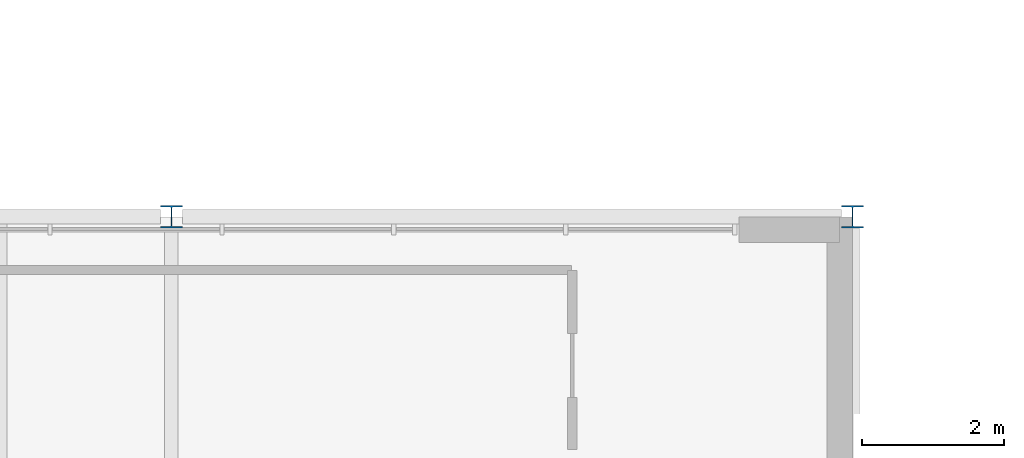
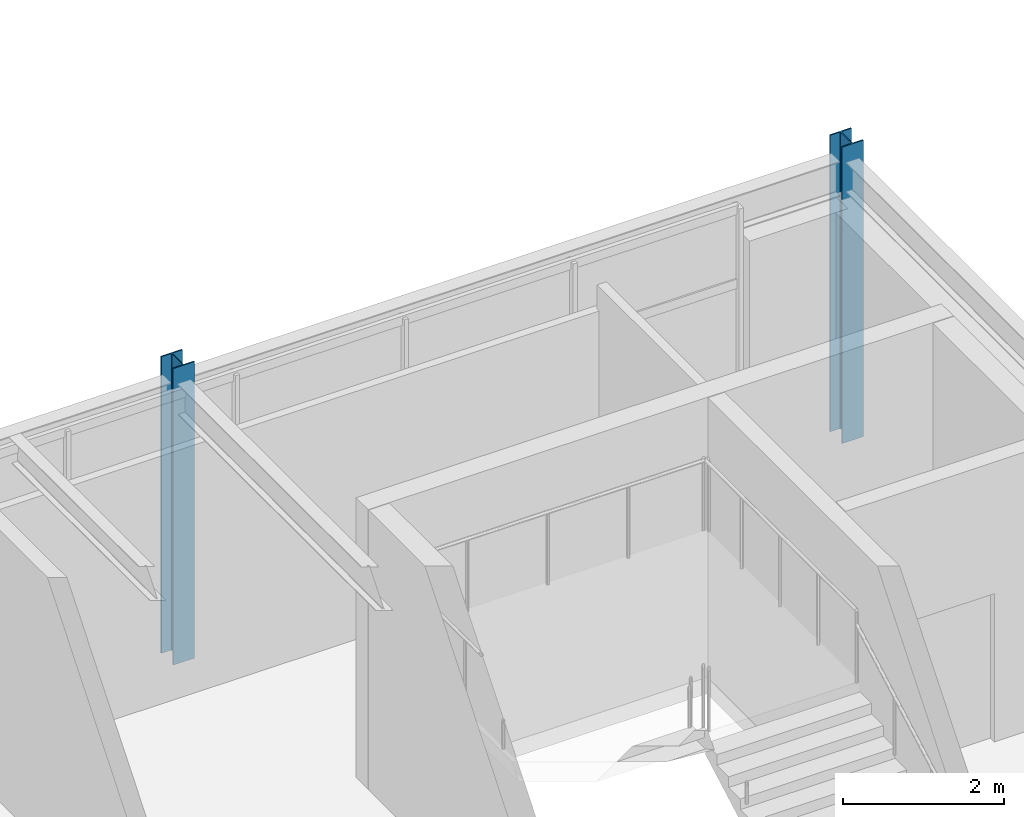
# One storey, part 14 of 69: 2 columns.
"""IFC4 building model written with IfcOpenShell, lengths in metres."""

from ifc_helpers import new_model, si_unit, direction, frame, origin, origin_2d, place, context, subcontext, project, spatial, i_section, extrude, material, material_profile, profile_set, type_object, element, save


model = new_model("IFC4")

# Units and contexts
model_context = context("Model", 3, precision=1e-05, world=origin(), true_north=direction((0.0, 1.0)))
body_context = subcontext(model_context, "Body", "Model", "MODEL_VIEW")
ifc_project = project(units=[si_unit("LENGTHUNIT", "METRE"), si_unit("AREAUNIT", "SQUARE_METRE"), si_unit("VOLUMEUNIT", "CUBIC_METRE"), si_unit("PLANEANGLEUNIT", "RADIAN"), si_unit("MASSUNIT", "GRAM", prefix="KILO")], contexts=[model_context])

# Site, building, storey
site_placement = place(None, origin())
site = spatial("IfcSite", under=ifc_project, at=site_placement, CompositionType="ELEMENT")
building_placement = place(site_placement, origin())
building = spatial("IfcBuilding", under=site, at=building_placement, Name="Sarnbrook Museum", CompositionType="ELEMENT")
storey_placement = place(building_placement, frame((0.0, 0.0, 14.60009765625)))
storey = spatial("IfcBuildingStorey", under=building, at=storey_placement, Name="L03", CompositionType="ELEMENT", Elevation=14.60009765625)

# Columns
ifc_material = material(Name="Structural Steel Grade 300PLUS (AS/NZS 3679.1, fy = 280 MPa for 17 < t <= 40 mm, 300 MPa for t <= 17 mm)", Category="steel")
ifc_material_profile = material_profile(ifc_material, i_section(OverallWidth=0.306884765625, OverallDepth=0.31494140625, WebThickness=0.011962890625, FlangeThickness=0.018798828125, FilletRadius=0.0166015625, at=origin_2d()), Name="310UC118")
ifc_profile_set = profile_set([ifc_material_profile], Name="Structural Steel Grade 300PLUS (AS/NZS 3679.1, fy = 280 MPa for 17 < t <= 40 mm, 300 MPa for t <= 17 mm)")
column_type = type_object("IfcColumnType", Name="COL-UC310", PredefinedType="COLUMN", material=ifc_profile_set)
for number, where, z_axis, x_axis, name in (
    (1, (109.60009765625, 108.39990234375, 0.0), (0.0, 0.0, 1.0), (1.0, 0.0, 0.0), "Column 12-N L03"),
    (2, (119.199951171875, 108.39990234375, 0.0), (0.0, 0.0, 1.0), (1.0, 0.0, 0.0), "Column 13-N L03"),
):
    element("IfcColumn", number, at=place(storey_placement, frame(where, z_axis=z_axis, x_axis=x_axis)), inside=storey, type_object=column_type, Name=name, PredefinedType="COLUMN", context=body_context, shape_type="SweptSolid", body=[
        extrude(i_section(OverallWidth=0.306884765625, OverallDepth=0.31494140625, WebThickness=0.011962890625, FlangeThickness=0.018798828125, FilletRadius=0.0166015625, at=origin_2d()), origin(), (0.0, 0.0, 1.0), 4.5),
    ])

save(model, "model.ifc")
